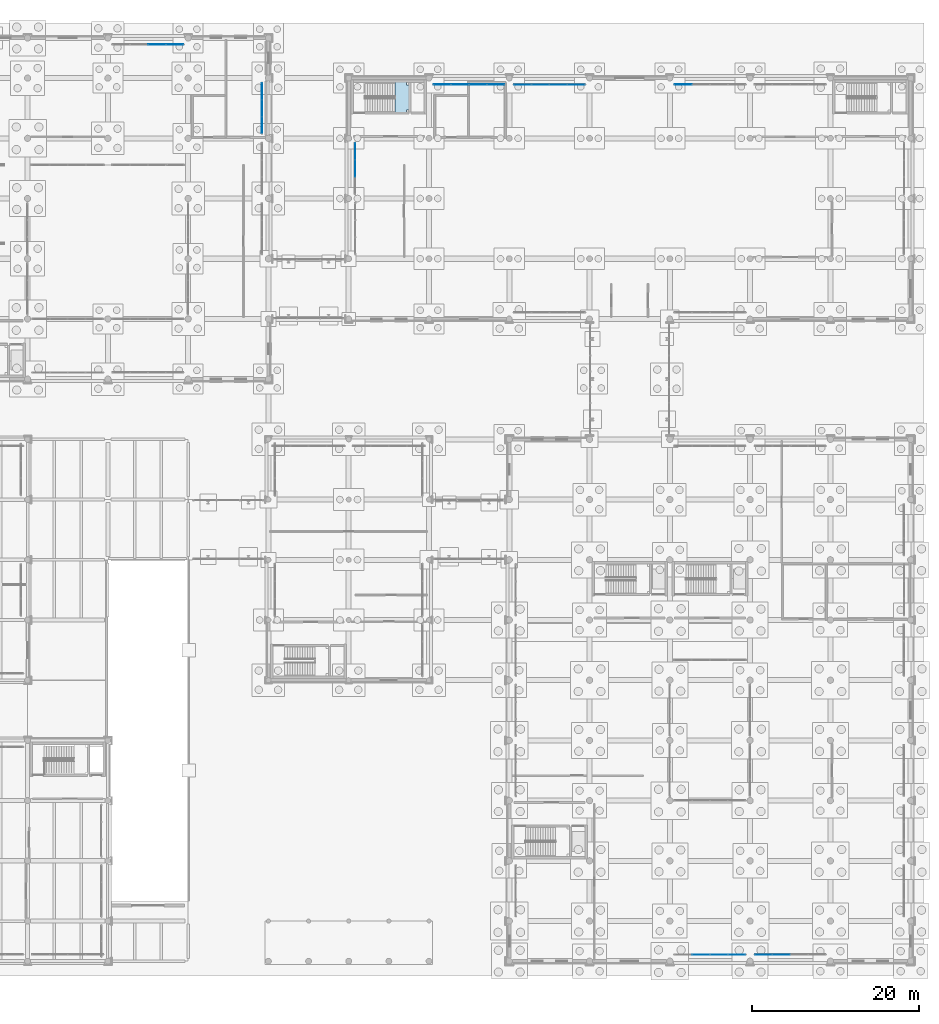
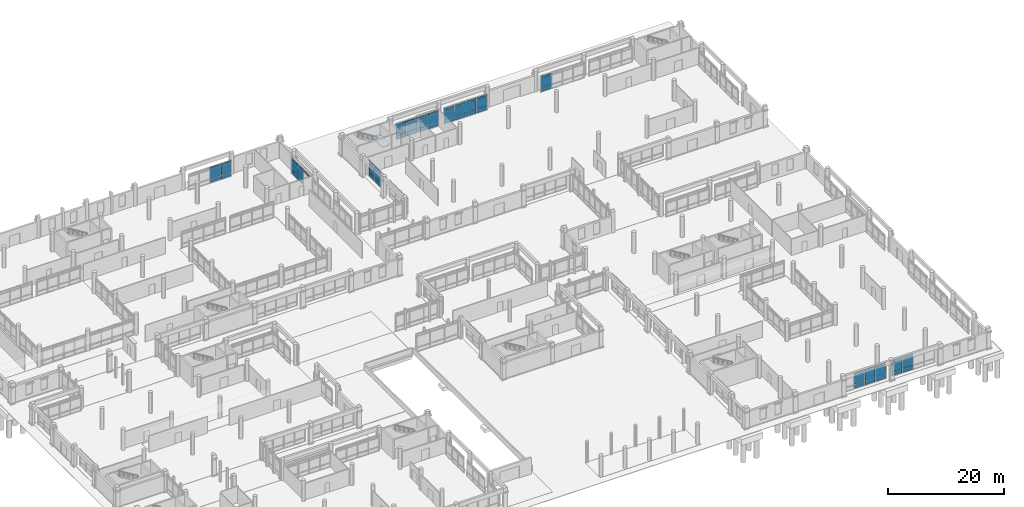
# One storey, part 154 of 196: 61 plates, 1 slab, 9 elements without a shape of their own.
"""IFC4 building model written with IfcOpenShell, lengths in metres."""

from ifc_helpers import new_model, si_unit, direction, frame, origin, origin_2d, place, context, subcontext, project, spatial, polyline, rectangle, outline, extrude, material, layer, layer_set, type_object, element, aggregate, save


model = new_model("IFC4")

# Units and contexts
model_context = context("Model", 3, precision=1e-05, world=origin(), true_north=direction((0.0, 1.0)))
body_context = subcontext(model_context, "Body", "Model", "MODEL_VIEW")
ifc_project = project(units=[si_unit("LENGTHUNIT", "METRE"), si_unit("AREAUNIT", "SQUARE_METRE"), si_unit("VOLUMEUNIT", "CUBIC_METRE"), si_unit("PLANEANGLEUNIT", "RADIAN"), si_unit("MASSUNIT", "GRAM", prefix="KILO")], contexts=[model_context])

# Site, building, storey
site_placement = place(None, origin())
site = spatial("IfcSite", under=ifc_project, at=site_placement, CompositionType="ELEMENT")
building_placement = place(site_placement, origin())
building = spatial("IfcBuilding", under=site, at=building_placement, Name="Asteropetra Specialist Clinic", CompositionType="ELEMENT")
storey_placement = place(building_placement, origin())
storey = spatial("IfcBuildingStorey", under=building, at=storey_placement, Name="L00", CompositionType="ELEMENT", Elevation=0.0)

# Curtain wall, plates
ifc_material_1 = material(Name="Aluminium and low-E glass", Category="aluminium")
ifc_layer_1 = layer(ifc_material_1, 0.135009765625)
ifc_layer_set_1 = layer_set([ifc_layer_1], Name="Aluminium and low-E glass")
curtain_wall_type_1 = type_object("IfcCurtainWallType", Name="CW-SYS-09", PredefinedType="USERDEFINED", material=ifc_layer_set_1)
curtain_wall_1_placement = place(storey_placement, origin())
curtain_wall_1 = element("IfcCurtainWall", 1, at=curtain_wall_1_placement, inside=storey, type_object=curtain_wall_type_1, Name="Curtain Wall CW-192", ObjectType="STICK GLAZED COLONNADE", PredefinedType="USERDEFINED")
ifc_material_2 = material(Name="Low-E double glazing", Category="glass")
ifc_layer_2 = layer(ifc_material_2, 0.028076171875)
ifc_layer_set_2 = layer_set([ifc_layer_2], Name="Low-E double glazing")
plate_type_1 = type_object("IfcPlateType", Name="CWP-GLZ-28", PredefinedType="CURTAIN_PANEL", material=ifc_layer_set_2)
plate_1_placement = place(storey_placement, frame((128.53369140625, 0.780029296875, 0.074951171875), z_axis=(0.0, 0.0, 1.0), x_axis=(1.0, 0.0, 0.0)))
plate_1 = element("IfcPlate", 2, at=plate_1_placement, type_object=plate_type_1, Name="CW-192 panel 2.1", PredefinedType="CURTAIN_PANEL", context=body_context, shape_type="SweptSolid", body=[
    extrude(rectangle(XDim=2.0576171875, YDim=0.028076171875, at=origin_2d()), origin(), (0.0, 0.0, 1.0), 0.78759765625),
])
plate_2_placement = place(storey_placement, frame((128.53369140625, 0.780029296875, 0.9375), z_axis=(0.0, 0.0, 1.0), x_axis=(1.0, 0.0, 0.0)))
plate_2 = element("IfcPlate", 3, at=plate_2_placement, type_object=plate_type_1, Name="CW-192 panel 2.2", PredefinedType="CURTAIN_PANEL", context=body_context, shape_type="SweptSolid", body=[
    extrude(rectangle(XDim=2.0576171875, YDim=0.028076171875, at=origin_2d()), origin(), (0.0, 0.0, 1.0), 1.925048828125),
])
plate_3_placement = place(storey_placement, frame((128.53369140625, 0.780029296875, 2.9375), z_axis=(0.0, 0.0, 1.0), x_axis=(1.0, 0.0, 0.0)))
plate_3 = element("IfcPlate", 4, at=plate_3_placement, type_object=plate_type_1, Name="CW-192 panel 2.3", PredefinedType="CURTAIN_PANEL", context=body_context, shape_type="SweptSolid", body=[
    extrude(rectangle(XDim=2.0576171875, YDim=0.028076171875, at=origin_2d()), origin(), (0.0, 0.0, 1.0), 0.387451171875),
])
plate_4_placement = place(storey_placement, frame((130.666259765625, 0.780029296875, 0.074951171875), z_axis=(0.0, 0.0, 1.0), x_axis=(1.0, 0.0, 0.0)))
plate_4 = element("IfcPlate", 5, at=plate_4_placement, type_object=plate_type_1, Name="CW-192 panel 3.1", PredefinedType="CURTAIN_PANEL", context=body_context, shape_type="SweptSolid", body=[
    extrude(rectangle(XDim=2.0576171875, YDim=0.028076171875, at=origin_2d()), origin(), (0.0, 0.0, 1.0), 0.78759765625),
])
plate_5_placement = place(storey_placement, frame((130.666259765625, 0.780029296875, 0.9375), z_axis=(0.0, 0.0, 1.0), x_axis=(1.0, 0.0, 0.0)))
plate_5 = element("IfcPlate", 6, at=plate_5_placement, type_object=plate_type_1, Name="CW-192 panel 3.2", PredefinedType="CURTAIN_PANEL", context=body_context, shape_type="SweptSolid", body=[
    extrude(rectangle(XDim=2.0576171875, YDim=0.028076171875, at=origin_2d()), origin(), (0.0, 0.0, 1.0), 1.925048828125),
])
plate_6_placement = place(storey_placement, frame((130.666259765625, 0.780029296875, 2.9375), z_axis=(0.0, 0.0, 1.0), x_axis=(1.0, 0.0, 0.0)))
plate_6 = element("IfcPlate", 7, at=plate_6_placement, type_object=plate_type_1, Name="CW-192 panel 3.3", PredefinedType="CURTAIN_PANEL", context=body_context, shape_type="SweptSolid", body=[
    extrude(rectangle(XDim=2.0576171875, YDim=0.028076171875, at=origin_2d()), origin(), (0.0, 0.0, 1.0), 0.387451171875),
])
plate_7_placement = place(storey_placement, frame((132.780029296875, 0.780029296875, 0.074951171875), z_axis=(0.0, 0.0, 1.0), x_axis=(1.0, 0.0, 0.0)))
plate_7 = element("IfcPlate", 8, at=plate_7_placement, type_object=plate_type_1, Name="CW-192 panel 4.1", PredefinedType="CURTAIN_PANEL", context=body_context, shape_type="SweptSolid", body=[
    extrude(rectangle(XDim=2.02001953125, YDim=0.028076171875, at=origin_2d()), origin(), (0.0, 0.0, 1.0), 0.78759765625),
])
plate_8_placement = place(storey_placement, frame((132.780029296875, 0.780029296875, 0.9375), z_axis=(0.0, 0.0, 1.0), x_axis=(1.0, 0.0, 0.0)))
plate_8 = element("IfcPlate", 9, at=plate_8_placement, type_object=plate_type_1, Name="CW-192 panel 4.2", PredefinedType="CURTAIN_PANEL", context=body_context, shape_type="SweptSolid", body=[
    extrude(rectangle(XDim=2.02001953125, YDim=0.028076171875, at=origin_2d()), origin(), (0.0, 0.0, 1.0), 1.925048828125),
])
plate_9_placement = place(storey_placement, frame((132.780029296875, 0.780029296875, 2.9375), z_axis=(0.0, 0.0, 1.0), x_axis=(1.0, 0.0, 0.0)))
plate_9 = element("IfcPlate", 10, at=plate_9_placement, type_object=plate_type_1, Name="CW-192 panel 4.3", PredefinedType="CURTAIN_PANEL", context=body_context, shape_type="SweptSolid", body=[
    extrude(rectangle(XDim=2.02001953125, YDim=0.028076171875, at=origin_2d()), origin(), (0.0, 0.0, 1.0), 0.387451171875),
])
aggregate(curtain_wall_1, [plate_1, plate_2, plate_3, plate_4, plate_5, plate_6, plate_7, plate_8, plate_9])

ifc_material_3 = material(Name="Aluminium and low-E glass", Category="aluminium")
ifc_layer_3 = layer(ifc_material_3, 0.179931640625)
ifc_layer_set_3 = layer_set([ifc_layer_3], Name="Aluminium and low-E glass")
curtain_wall_type_2 = type_object("IfcCurtainWallType", Name="CW-SYS-10", PredefinedType="USERDEFINED", material=ifc_layer_set_3)
curtain_wall_2_placement = place(storey_placement, origin())
curtain_wall_2 = element("IfcCurtainWall", 11, at=curtain_wall_2_placement, inside=storey, type_object=curtain_wall_type_2, Name="Curtain Wall CW-209", ObjectType="STICK GLAZED COLONNADE", PredefinedType="USERDEFINED")
ifc_material_4 = material(Name="Low-E acoustic double glazing", Category="glass")
ifc_layer_4 = layer(ifc_material_4, 0.031982421875)
ifc_layer_set_4 = layer_set([ifc_layer_4], Name="Low-E acoustic double glazing")
plate_type_2 = type_object("IfcPlateType", Name="CWP-GLZ-32", PredefinedType="CURTAIN_PANEL", material=ifc_layer_set_4)
plate_10_placement = place(storey_placement, frame((113.6025390625, 104.820068359375, 0.06005859375), z_axis=(0.0, 0.0, 1.0), x_axis=(-1.0, 0.0, 0.0)))
plate_10 = element("IfcPlate", 12, at=plate_10_placement, type_object=plate_type_2, Name="CW-209 panel 1.1", PredefinedType="CURTAIN_PANEL", context=body_context, shape_type="SweptSolid", body=[
    extrude(rectangle(XDim=2.054931640625, YDim=0.031982421875, at=origin_2d()), origin(), (0.0, 0.0, 1.0), 0.81005859375),
])
plate_11_placement = place(storey_placement, frame((113.6025390625, 104.820068359375, 0.929931640625), z_axis=(0.0, 0.0, 1.0), x_axis=(-1.0, 0.0, 0.0)))
plate_11 = element("IfcPlate", 13, at=plate_11_placement, type_object=plate_type_2, Name="CW-209 panel 1.2", PredefinedType="CURTAIN_PANEL", context=body_context, shape_type="SweptSolid", body=[
    extrude(rectangle(XDim=2.054931640625, YDim=0.031982421875, at=origin_2d()), origin(), (0.0, 0.0, 1.0), 1.9599609375),
])
plate_12_placement = place(storey_placement, frame((113.6025390625, 104.820068359375, 2.9501953125), z_axis=(0.0, 0.0, 1.0), x_axis=(-1.0, 0.0, 0.0)))
plate_12 = element("IfcPlate", 14, at=plate_12_placement, type_object=plate_type_2, Name="CW-209 panel 1.3", PredefinedType="CURTAIN_PANEL", context=body_context, shape_type="SweptSolid", body=[
    extrude(rectangle(XDim=2.054931640625, YDim=0.031982421875, at=origin_2d()), origin(), (0.0, 0.0, 1.0), 0.409912109375),
])
plate_13_placement = place(storey_placement, frame((111.472412109375, 104.820068359375, 0.06005859375), z_axis=(0.0, 0.0, 1.0), x_axis=(-1.0, 0.0, 0.0)))
plate_13 = element("IfcPlate", 15, at=plate_13_placement, type_object=plate_type_2, Name="CW-209 panel 2.1", PredefinedType="CURTAIN_PANEL", context=body_context, shape_type="SweptSolid", body=[
    extrude(rectangle(XDim=2.0849609375, YDim=0.031982421875, at=origin_2d()), origin(), (0.0, 0.0, 1.0), 0.81005859375),
])
plate_14_placement = place(storey_placement, frame((111.472412109375, 104.820068359375, 0.929931640625), z_axis=(0.0, 0.0, 1.0), x_axis=(-1.0, 0.0, 0.0)))
plate_14 = element("IfcPlate", 16, at=plate_14_placement, type_object=plate_type_2, Name="CW-209 panel 2.2", PredefinedType="CURTAIN_PANEL", context=body_context, shape_type="SweptSolid", body=[
    extrude(rectangle(XDim=2.0849609375, YDim=0.031982421875, at=origin_2d()), origin(), (0.0, 0.0, 1.0), 1.9599609375),
])
plate_15_placement = place(storey_placement, frame((111.472412109375, 104.820068359375, 2.9501953125), z_axis=(0.0, 0.0, 1.0), x_axis=(-1.0, 0.0, 0.0)))
plate_15 = element("IfcPlate", 17, at=plate_15_placement, type_object=plate_type_2, Name="CW-209 panel 2.3", PredefinedType="CURTAIN_PANEL", context=body_context, shape_type="SweptSolid", body=[
    extrude(rectangle(XDim=2.0849609375, YDim=0.031982421875, at=origin_2d()), origin(), (0.0, 0.0, 1.0), 0.409912109375),
])
plate_16_placement = place(storey_placement, frame((109.327392578125, 104.820068359375, 0.06005859375), z_axis=(0.0, 0.0, 1.0), x_axis=(-1.0, 0.0, 0.0)))
plate_16 = element("IfcPlate", 18, at=plate_16_placement, type_object=plate_type_2, Name="CW-209 panel 3.1", PredefinedType="CURTAIN_PANEL", context=body_context, shape_type="SweptSolid", body=[
    extrude(rectangle(XDim=2.0849609375, YDim=0.031982421875, at=origin_2d()), origin(), (0.0, 0.0, 1.0), 0.81005859375),
])
plate_17_placement = place(storey_placement, frame((109.327392578125, 104.820068359375, 0.929931640625), z_axis=(0.0, 0.0, 1.0), x_axis=(-1.0, 0.0, 0.0)))
plate_17 = element("IfcPlate", 19, at=plate_17_placement, type_object=plate_type_2, Name="CW-209 panel 3.2", PredefinedType="CURTAIN_PANEL", context=body_context, shape_type="SweptSolid", body=[
    extrude(rectangle(XDim=2.0849609375, YDim=0.031982421875, at=origin_2d()), origin(), (0.0, 0.0, 1.0), 1.9599609375),
])
plate_18_placement = place(storey_placement, frame((109.327392578125, 104.820068359375, 2.9501953125), z_axis=(0.0, 0.0, 1.0), x_axis=(-1.0, 0.0, 0.0)))
plate_18 = element("IfcPlate", 20, at=plate_18_placement, type_object=plate_type_2, Name="CW-209 panel 3.3", PredefinedType="CURTAIN_PANEL", context=body_context, shape_type="SweptSolid", body=[
    extrude(rectangle(XDim=2.0849609375, YDim=0.031982421875, at=origin_2d()), origin(), (0.0, 0.0, 1.0), 0.409912109375),
])
plate_19_placement = place(storey_placement, frame((107.197509765625, 104.820068359375, 0.06005859375), z_axis=(0.0, 0.0, 1.0), x_axis=(-1.0, 0.0, 0.0)))
plate_19 = element("IfcPlate", 21, at=plate_19_placement, type_object=plate_type_2, Name="CW-209 panel 4.1", PredefinedType="CURTAIN_PANEL", context=body_context, shape_type="SweptSolid", body=[
    extrude(rectangle(XDim=2.054931640625, YDim=0.031982421875, at=origin_2d()), origin(), (0.0, 0.0, 1.0), 0.81005859375),
])
plate_20_placement = place(storey_placement, frame((107.197509765625, 104.820068359375, 0.929931640625), z_axis=(0.0, 0.0, 1.0), x_axis=(-1.0, 0.0, 0.0)))
plate_20 = element("IfcPlate", 22, at=plate_20_placement, type_object=plate_type_2, Name="CW-209 panel 4.2", PredefinedType="CURTAIN_PANEL", context=body_context, shape_type="SweptSolid", body=[
    extrude(rectangle(XDim=2.054931640625, YDim=0.031982421875, at=origin_2d()), origin(), (0.0, 0.0, 1.0), 1.9599609375),
])
plate_21_placement = place(storey_placement, frame((107.197509765625, 104.820068359375, 2.9501953125), z_axis=(0.0, 0.0, 1.0), x_axis=(-1.0, 0.0, 0.0)))
plate_21 = element("IfcPlate", 23, at=plate_21_placement, type_object=plate_type_2, Name="CW-209 panel 4.3", PredefinedType="CURTAIN_PANEL", context=body_context, shape_type="SweptSolid", body=[
    extrude(rectangle(XDim=2.054931640625, YDim=0.031982421875, at=origin_2d()), origin(), (0.0, 0.0, 1.0), 0.409912109375),
])
aggregate(curtain_wall_2, [plate_10, plate_11, plate_12, plate_13, plate_14, plate_15, plate_16, plate_17, plate_18, plate_19, plate_20, plate_21])

curtain_wall_3_placement = place(storey_placement, origin())
curtain_wall_3 = element("IfcCurtainWall", 24, at=curtain_wall_3_placement, inside=storey, type_object=curtain_wall_type_2, Name="Curtain Wall CW-186", ObjectType="STICK GLAZED COLONNADE", PredefinedType="USERDEFINED")
ifc_material_5 = material(Name="Solar-control triple glazing", Category="glass")
ifc_layer_5 = layer(ifc_material_5, 0.035888671875)
ifc_layer_set_5 = layer_set([ifc_layer_5], Name="Solar-control triple glazing")
plate_type_3 = type_object("IfcPlateType", Name="CWP-GLZ-36", PredefinedType="CURTAIN_PANEL", material=ifc_layer_set_5)
plate_22_placement = place(storey_placement, frame((65.580078125, 109.6201171875, 0.074951171875), z_axis=(0.0, 0.0, 1.0), x_axis=(-1.0, 0.0, 0.0)))
plate_22 = element("IfcPlate", 25, at=plate_22_placement, type_object=plate_type_3, Name="CW-186 panel 1.1", PredefinedType="CURTAIN_PANEL", context=body_context, shape_type="SweptSolid", body=[
    extrude(rectangle(XDim=2.02001953125, YDim=0.035888671875, at=origin_2d()), origin(), (0.0, 0.0, 1.0), 0.78759765625),
])
plate_23_placement = place(storey_placement, frame((65.580078125, 109.6201171875, 0.9375), z_axis=(0.0, 0.0, 1.0), x_axis=(-1.0, 0.0, 0.0)))
plate_23 = element("IfcPlate", 26, at=plate_23_placement, type_object=plate_type_3, Name="CW-186 panel 1.2", PredefinedType="CURTAIN_PANEL", context=body_context, shape_type="SweptSolid", body=[
    extrude(rectangle(XDim=2.02001953125, YDim=0.035888671875, at=origin_2d()), origin(), (0.0, 0.0, 1.0), 1.945068359375),
])
plate_24_placement = place(storey_placement, frame((65.580078125, 109.6201171875, 2.95751953125), z_axis=(0.0, 0.0, 1.0), x_axis=(-1.0, 0.0, 0.0)))
plate_24 = element("IfcPlate", 27, at=plate_24_placement, type_object=plate_type_3, Name="CW-186 panel 1.3", PredefinedType="CURTAIN_PANEL", context=body_context, shape_type="SweptSolid", body=[
    extrude(rectangle(XDim=2.02001953125, YDim=0.035888671875, at=origin_2d()), origin(), (0.0, 0.0, 1.0), 0.387451171875),
])
plate_25_placement = place(storey_placement, frame((63.46630859375, 109.6201171875, 0.074951171875), z_axis=(0.0, 0.0, 1.0), x_axis=(-1.0, 0.0, 0.0)))
plate_25 = element("IfcPlate", 28, at=plate_25_placement, type_object=plate_type_3, Name="CW-186 panel 2.1", PredefinedType="CURTAIN_PANEL", context=body_context, shape_type="SweptSolid", body=[
    extrude(rectangle(XDim=2.0576171875, YDim=0.035888671875, at=origin_2d()), origin(), (0.0, 0.0, 1.0), 0.78759765625),
])
plate_26_placement = place(storey_placement, frame((63.46630859375, 109.6201171875, 0.9375), z_axis=(0.0, 0.0, 1.0), x_axis=(-1.0, 0.0, 0.0)))
plate_26 = element("IfcPlate", 29, at=plate_26_placement, type_object=plate_type_3, Name="CW-186 panel 2.2", PredefinedType="CURTAIN_PANEL", context=body_context, shape_type="SweptSolid", body=[
    extrude(rectangle(XDim=2.0576171875, YDim=0.035888671875, at=origin_2d()), origin(), (0.0, 0.0, 1.0), 1.945068359375),
])
plate_27_placement = place(storey_placement, frame((63.46630859375, 109.6201171875, 2.95751953125), z_axis=(0.0, 0.0, 1.0), x_axis=(-1.0, 0.0, 0.0)))
plate_27 = element("IfcPlate", 30, at=plate_27_placement, type_object=plate_type_3, Name="CW-186 panel 2.3", PredefinedType="CURTAIN_PANEL", context=body_context, shape_type="SweptSolid", body=[
    extrude(rectangle(XDim=2.0576171875, YDim=0.035888671875, at=origin_2d()), origin(), (0.0, 0.0, 1.0), 0.387451171875),
])
aggregate(curtain_wall_3, [plate_22, plate_23, plate_24, plate_25, plate_26, plate_27])

ifc_material_6 = material(Name="Aluminium and low-E glass", Category="aluminium")
ifc_layer_6 = layer(ifc_material_6, 0.14990234375)
ifc_layer_set_6 = layer_set([ifc_layer_6], Name="Aluminium and low-E glass")
curtain_wall_type_3 = type_object("IfcCurtainWallType", Name="CW-SYS-11", PredefinedType="USERDEFINED", material=ifc_layer_set_6)
curtain_wall_4_placement = place(storey_placement, origin())
curtain_wall_4 = element("IfcCurtainWall", 31, at=curtain_wall_4_placement, inside=storey, type_object=curtain_wall_type_3, Name="Curtain Wall CW-194", ObjectType="STICK GLAZED COLONNADE", PredefinedType="USERDEFINED")
plate_28_placement = place(storey_placement, frame((136.016357421875, 0.780029296875, 0.06005859375), z_axis=(0.0, 0.0, 1.0), x_axis=(1.0, 0.0, 0.0)))
plate_28 = element("IfcPlate", 32, at=plate_28_placement, type_object=plate_type_3, Name="CW-194 panel 1.1", PredefinedType="CURTAIN_PANEL", context=body_context, shape_type="SweptSolid", body=[
    extrude(rectangle(XDim=2.04248046875, YDim=0.035888671875, at=origin_2d()), origin(), (0.0, 0.0, 1.0), 0.81005859375),
])
plate_29_placement = place(storey_placement, frame((136.016357421875, 0.780029296875, 0.929931640625), z_axis=(0.0, 0.0, 1.0), x_axis=(1.0, 0.0, 0.0)))
plate_29 = element("IfcPlate", 33, at=plate_29_placement, type_object=plate_type_3, Name="CW-194 panel 1.2", PredefinedType="CURTAIN_PANEL", context=body_context, shape_type="SweptSolid", body=[
    extrude(rectangle(XDim=2.04248046875, YDim=0.035888671875, at=origin_2d()), origin(), (0.0, 0.0, 1.0), 1.93994140625),
])
plate_30_placement = place(storey_placement, frame((136.016357421875, 0.780029296875, 2.93017578125), z_axis=(0.0, 0.0, 1.0), x_axis=(1.0, 0.0, 0.0)))
plate_30 = element("IfcPlate", 34, at=plate_30_placement, type_object=plate_type_3, Name="CW-194 panel 1.3", PredefinedType="CURTAIN_PANEL", context=body_context, shape_type="SweptSolid", body=[
    extrude(rectangle(XDim=2.04248046875, YDim=0.035888671875, at=origin_2d()), origin(), (0.0, 0.0, 1.0), 0.409912109375),
])
plate_31_placement = place(storey_placement, frame((138.1337890625, 0.780029296875, 0.06005859375), z_axis=(0.0, 0.0, 1.0), x_axis=(1.0, 0.0, 0.0)))
plate_31 = element("IfcPlate", 35, at=plate_31_placement, type_object=plate_type_3, Name="CW-194 panel 2.1", PredefinedType="CURTAIN_PANEL", context=body_context, shape_type="SweptSolid", body=[
    extrude(rectangle(XDim=2.072509765625, YDim=0.035888671875, at=origin_2d()), origin(), (0.0, 0.0, 1.0), 0.81005859375),
])
plate_32_placement = place(storey_placement, frame((138.1337890625, 0.780029296875, 0.929931640625), z_axis=(0.0, 0.0, 1.0), x_axis=(1.0, 0.0, 0.0)))
plate_32 = element("IfcPlate", 36, at=plate_32_placement, type_object=plate_type_3, Name="CW-194 panel 2.2", PredefinedType="CURTAIN_PANEL", context=body_context, shape_type="SweptSolid", body=[
    extrude(rectangle(XDim=2.072509765625, YDim=0.035888671875, at=origin_2d()), origin(), (0.0, 0.0, 1.0), 1.93994140625),
])
plate_33_placement = place(storey_placement, frame((138.1337890625, 0.780029296875, 2.93017578125), z_axis=(0.0, 0.0, 1.0), x_axis=(1.0, 0.0, 0.0)))
plate_33 = element("IfcPlate", 37, at=plate_33_placement, type_object=plate_type_3, Name="CW-194 panel 2.3", PredefinedType="CURTAIN_PANEL", context=body_context, shape_type="SweptSolid", body=[
    extrude(rectangle(XDim=2.072509765625, YDim=0.035888671875, at=origin_2d()), origin(), (0.0, 0.0, 1.0), 0.409912109375),
])
aggregate(curtain_wall_4, [plate_28, plate_29, plate_30, plate_31, plate_32, plate_33])

ifc_material_7 = material(Name="Aluminium and low-E glass", Category="aluminium")
ifc_layer_7 = layer(ifc_material_7, 0.135009765625)
ifc_layer_set_7 = layer_set([ifc_layer_7], Name="Aluminium and low-E glass")
curtain_wall_type_4 = type_object("IfcCurtainWallType", Name="CW-SYS-12", PredefinedType="USERDEFINED", material=ifc_layer_set_7)
curtain_wall_5_placement = place(storey_placement, origin())
curtain_wall_5 = element("IfcCurtainWall", 38, at=curtain_wall_5_placement, inside=storey, type_object=curtain_wall_type_4, Name="Curtain Wall CW-191", ObjectType="STICK GLAZED COLONNADE", PredefinedType="USERDEFINED")
ifc_material_8 = material(Name="Laminated skylight glazing", Category="glass")
ifc_layer_8 = layer(ifc_material_8, 0.0400390625)
ifc_layer_set_8 = layer_set([ifc_layer_8], Name="Laminated skylight glazing")
plate_type_4 = type_object("IfcPlateType", Name="CWP-GLZ-40", PredefinedType="CURTAIN_PANEL", material=ifc_layer_set_8)
plate_34_placement = place(storey_placement, frame((76.02001953125, 99.9716796875, 2.9501953125), z_axis=(0.0, 0.0, 1.0), x_axis=(0.0, 1.0, 0.0)))
plate_34 = element("IfcPlate", 39, at=plate_34_placement, type_object=plate_type_4, Name="CW-191 panel 1.3", PredefinedType="CURTAIN_PANEL", context=body_context, shape_type="SweptSolid", body=[
    extrude(rectangle(XDim=1.953369140625, YDim=0.0400390625, at=origin_2d()), origin(), (0.0, 0.0, 1.0), 0.409912109375),
])
plate_35_placement = place(storey_placement, frame((76.02001953125, 102.0, 0.06005859375), z_axis=(0.0, 0.0, 1.0), x_axis=(0.0, 1.0, 0.0)))
plate_35 = element("IfcPlate", 40, at=plate_35_placement, type_object=plate_type_4, Name="CW-191 panel 2.1", PredefinedType="CURTAIN_PANEL", context=body_context, shape_type="SweptSolid", body=[
    extrude(rectangle(XDim=1.9833984375, YDim=0.0400390625, at=origin_2d()), origin(), (0.0, 0.0, 1.0), 0.81005859375),
])
plate_36_placement = place(storey_placement, frame((76.02001953125, 102.0, 0.929931640625), z_axis=(0.0, 0.0, 1.0), x_axis=(0.0, 1.0, 0.0)))
plate_36 = element("IfcPlate", 41, at=plate_36_placement, type_object=plate_type_4, Name="CW-191 panel 2.2", PredefinedType="CURTAIN_PANEL", context=body_context, shape_type="SweptSolid", body=[
    extrude(rectangle(XDim=1.9833984375, YDim=0.0400390625, at=origin_2d()), origin(), (0.0, 0.0, 1.0), 1.9599609375),
])
plate_37_placement = place(storey_placement, frame((76.02001953125, 102.0, 2.9501953125), z_axis=(0.0, 0.0, 1.0), x_axis=(0.0, 1.0, 0.0)))
plate_37 = element("IfcPlate", 42, at=plate_37_placement, type_object=plate_type_4, Name="CW-191 panel 2.3", PredefinedType="CURTAIN_PANEL", context=body_context, shape_type="SweptSolid", body=[
    extrude(rectangle(XDim=1.9833984375, YDim=0.0400390625, at=origin_2d()), origin(), (0.0, 0.0, 1.0), 0.409912109375),
])
plate_38_placement = place(storey_placement, frame((76.02001953125, 104.0283203125, 0.06005859375), z_axis=(0.0, 0.0, 1.0), x_axis=(0.0, 1.0, 0.0)))
plate_38 = element("IfcPlate", 43, at=plate_38_placement, type_object=plate_type_4, Name="CW-191 panel 3.1", PredefinedType="CURTAIN_PANEL", context=body_context, shape_type="SweptSolid", body=[
    extrude(rectangle(XDim=1.953369140625, YDim=0.0400390625, at=origin_2d()), origin(), (0.0, 0.0, 1.0), 0.81005859375),
])
plate_39_placement = place(storey_placement, frame((76.02001953125, 104.0283203125, 0.929931640625), z_axis=(0.0, 0.0, 1.0), x_axis=(0.0, 1.0, 0.0)))
plate_39 = element("IfcPlate", 44, at=plate_39_placement, type_object=plate_type_4, Name="CW-191 panel 3.2", PredefinedType="CURTAIN_PANEL", context=body_context, shape_type="SweptSolid", body=[
    extrude(rectangle(XDim=1.953369140625, YDim=0.0400390625, at=origin_2d()), origin(), (0.0, 0.0, 1.0), 1.9599609375),
])
plate_40_placement = place(storey_placement, frame((76.02001953125, 104.0283203125, 2.9501953125), z_axis=(0.0, 0.0, 1.0), x_axis=(0.0, 1.0, 0.0)))
plate_40 = element("IfcPlate", 45, at=plate_40_placement, type_object=plate_type_4, Name="CW-191 panel 3.3", PredefinedType="CURTAIN_PANEL", context=body_context, shape_type="SweptSolid", body=[
    extrude(rectangle(XDim=1.953369140625, YDim=0.0400390625, at=origin_2d()), origin(), (0.0, 0.0, 1.0), 0.409912109375),
])
aggregate(curtain_wall_5, [plate_34, plate_35, plate_36, plate_37, plate_38, plate_39, plate_40])

curtain_wall_6_placement = place(storey_placement, origin())
curtain_wall_6 = element("IfcCurtainWall", 46, at=curtain_wall_6_placement, inside=storey, type_object=curtain_wall_type_1, Name="Curtain Wall CW-207", ObjectType="STICK GLAZED COLONNADE", PredefinedType="USERDEFINED")
plate_41_placement = place(storey_placement, frame((103.998779296875, 104.820068359375, 0.074951171875), z_axis=(0.0, 0.0, 1.0), x_axis=(-1.0, 0.0, 0.0)))
plate_41 = element("IfcPlate", 47, at=plate_41_placement, type_object=plate_type_4, Name="CW-207 panel 1.1", PredefinedType="CURTAIN_PANEL", context=body_context, shape_type="SweptSolid", body=[
    extrude(rectangle(XDim=2.032470703125, YDim=0.0400390625, at=origin_2d()), origin(), (0.0, 0.0, 1.0), 0.78759765625),
])
plate_42_placement = place(storey_placement, frame((103.998779296875, 104.820068359375, 0.9375), z_axis=(0.0, 0.0, 1.0), x_axis=(-1.0, 0.0, 0.0)))
plate_42 = element("IfcPlate", 48, at=plate_42_placement, type_object=plate_type_4, Name="CW-207 panel 1.2", PredefinedType="CURTAIN_PANEL", context=body_context, shape_type="SweptSolid", body=[
    extrude(rectangle(XDim=2.032470703125, YDim=0.0400390625, at=origin_2d()), origin(), (0.0, 0.0, 1.0), 1.945068359375),
])
plate_43_placement = place(storey_placement, frame((103.998779296875, 104.820068359375, 2.95751953125), z_axis=(0.0, 0.0, 1.0), x_axis=(-1.0, 0.0, 0.0)))
plate_43 = element("IfcPlate", 49, at=plate_43_placement, type_object=plate_type_4, Name="CW-207 panel 1.3", PredefinedType="CURTAIN_PANEL", context=body_context, shape_type="SweptSolid", body=[
    extrude(rectangle(XDim=2.032470703125, YDim=0.0400390625, at=origin_2d()), origin(), (0.0, 0.0, 1.0), 0.387451171875),
])
plate_44_placement = place(storey_placement, frame((101.87255859375, 104.820068359375, 0.074951171875), z_axis=(0.0, 0.0, 1.0), x_axis=(-1.0, 0.0, 0.0)))
plate_44 = element("IfcPlate", 50, at=plate_44_placement, type_object=plate_type_4, Name="CW-207 panel 2.1", PredefinedType="CURTAIN_PANEL", context=body_context, shape_type="SweptSolid", body=[
    extrude(rectangle(XDim=2.070068359375, YDim=0.0400390625, at=origin_2d()), origin(), (0.0, 0.0, 1.0), 0.78759765625),
])
plate_45_placement = place(storey_placement, frame((101.87255859375, 104.820068359375, 0.9375), z_axis=(0.0, 0.0, 1.0), x_axis=(-1.0, 0.0, 0.0)))
plate_45 = element("IfcPlate", 51, at=plate_45_placement, type_object=plate_type_4, Name="CW-207 panel 2.2", PredefinedType="CURTAIN_PANEL", context=body_context, shape_type="SweptSolid", body=[
    extrude(rectangle(XDim=2.070068359375, YDim=0.0400390625, at=origin_2d()), origin(), (0.0, 0.0, 1.0), 1.945068359375),
])
plate_46_placement = place(storey_placement, frame((101.87255859375, 104.820068359375, 2.95751953125), z_axis=(0.0, 0.0, 1.0), x_axis=(-1.0, 0.0, 0.0)))
plate_46 = element("IfcPlate", 52, at=plate_46_placement, type_object=plate_type_4, Name="CW-207 panel 2.3", PredefinedType="CURTAIN_PANEL", context=body_context, shape_type="SweptSolid", body=[
    extrude(rectangle(XDim=2.070068359375, YDim=0.0400390625, at=origin_2d()), origin(), (0.0, 0.0, 1.0), 0.387451171875),
])
plate_47_placement = place(storey_placement, frame((99.7275390625, 104.820068359375, 0.074951171875), z_axis=(0.0, 0.0, 1.0), x_axis=(-1.0, 0.0, 0.0)))
plate_47 = element("IfcPlate", 53, at=plate_47_placement, type_object=plate_type_4, Name="CW-207 panel 3.1", PredefinedType="CURTAIN_PANEL", context=body_context, shape_type="SweptSolid", body=[
    extrude(rectangle(XDim=2.070068359375, YDim=0.0400390625, at=origin_2d()), origin(), (0.0, 0.0, 1.0), 0.78759765625),
])
plate_48_placement = place(storey_placement, frame((99.7275390625, 104.820068359375, 0.9375), z_axis=(0.0, 0.0, 1.0), x_axis=(-1.0, 0.0, 0.0)))
plate_48 = element("IfcPlate", 54, at=plate_48_placement, type_object=plate_type_4, Name="CW-207 panel 3.2", PredefinedType="CURTAIN_PANEL", context=body_context, shape_type="SweptSolid", body=[
    extrude(rectangle(XDim=2.070068359375, YDim=0.0400390625, at=origin_2d()), origin(), (0.0, 0.0, 1.0), 1.945068359375),
])
plate_49_placement = place(storey_placement, frame((99.7275390625, 104.820068359375, 2.95751953125), z_axis=(0.0, 0.0, 1.0), x_axis=(-1.0, 0.0, 0.0)))
plate_49 = element("IfcPlate", 55, at=plate_49_placement, type_object=plate_type_4, Name="CW-207 panel 3.3", PredefinedType="CURTAIN_PANEL", context=body_context, shape_type="SweptSolid", body=[
    extrude(rectangle(XDim=2.070068359375, YDim=0.0400390625, at=origin_2d()), origin(), (0.0, 0.0, 1.0), 0.387451171875),
])
plate_50_placement = place(storey_placement, frame((97.601318359375, 104.820068359375, 0.074951171875), z_axis=(0.0, 0.0, 1.0), x_axis=(-1.0, 0.0, 0.0)))
plate_50 = element("IfcPlate", 56, at=plate_50_placement, type_object=plate_type_4, Name="CW-207 panel 4.1", PredefinedType="CURTAIN_PANEL", context=body_context, shape_type="SweptSolid", body=[
    extrude(rectangle(XDim=2.032470703125, YDim=0.0400390625, at=origin_2d()), origin(), (0.0, 0.0, 1.0), 0.78759765625),
])
plate_51_placement = place(storey_placement, frame((97.601318359375, 104.820068359375, 0.9375), z_axis=(0.0, 0.0, 1.0), x_axis=(-1.0, 0.0, 0.0)))
plate_51 = element("IfcPlate", 57, at=plate_51_placement, type_object=plate_type_4, Name="CW-207 panel 4.2", PredefinedType="CURTAIN_PANEL", context=body_context, shape_type="SweptSolid", body=[
    extrude(rectangle(XDim=2.032470703125, YDim=0.0400390625, at=origin_2d()), origin(), (0.0, 0.0, 1.0), 1.945068359375),
])
plate_52_placement = place(storey_placement, frame((97.601318359375, 104.820068359375, 2.95751953125), z_axis=(0.0, 0.0, 1.0), x_axis=(-1.0, 0.0, 0.0)))
plate_52 = element("IfcPlate", 58, at=plate_52_placement, type_object=plate_type_4, Name="CW-207 panel 4.3", PredefinedType="CURTAIN_PANEL", context=body_context, shape_type="SweptSolid", body=[
    extrude(rectangle(XDim=2.032470703125, YDim=0.0400390625, at=origin_2d()), origin(), (0.0, 0.0, 1.0), 0.387451171875),
])
aggregate(curtain_wall_6, [plate_41, plate_42, plate_43, plate_44, plate_45, plate_46, plate_47, plate_48, plate_49, plate_50, plate_51, plate_52])

curtain_wall_7_placement = place(storey_placement, origin())
curtain_wall_7 = element("IfcCurtainWall", 59, at=curtain_wall_7_placement, inside=storey, type_object=curtain_wall_type_1, Name="Curtain Wall CW-211", ObjectType="STICK GLAZED COLONNADE", PredefinedType="USERDEFINED")
plate_53_placement = place(storey_placement, frame((126.398681640625, 104.820068359375, 0.06494140625), z_axis=(0.0, 0.0, 1.0), x_axis=(-1.0, 0.0, 0.0)))
plate_53 = element("IfcPlate", 60, at=plate_53_placement, type_object=plate_type_4, Name="CW-211 panel 4.1", PredefinedType="CURTAIN_PANEL", context=body_context, shape_type="SweptSolid", body=[
    extrude(rectangle(XDim=2.047607421875, YDim=0.0400390625, at=origin_2d()), origin(), (0.0, 0.0, 1.0), 0.802490234375),
])
plate_54_placement = place(storey_placement, frame((126.398681640625, 104.820068359375, 0.932373046875), z_axis=(0.0, 0.0, 1.0), x_axis=(-1.0, 0.0, 0.0)))
plate_54 = element("IfcPlate", 61, at=plate_54_placement, type_object=plate_type_4, Name="CW-211 panel 4.2", PredefinedType="CURTAIN_PANEL", context=body_context, shape_type="SweptSolid", body=[
    extrude(rectangle(XDim=2.047607421875, YDim=0.0400390625, at=origin_2d()), origin(), (0.0, 0.0, 1.0), 1.955078125),
])
plate_55_placement = place(storey_placement, frame((126.398681640625, 104.820068359375, 2.95263671875), z_axis=(0.0, 0.0, 1.0), x_axis=(-1.0, 0.0, 0.0)))
plate_55 = element("IfcPlate", 62, at=plate_55_placement, type_object=plate_type_4, Name="CW-211 panel 4.3", PredefinedType="CURTAIN_PANEL", context=body_context, shape_type="SweptSolid", body=[
    extrude(rectangle(XDim=2.047607421875, YDim=0.0400390625, at=origin_2d()), origin(), (0.0, 0.0, 1.0), 0.402587890625),
])
aggregate(curtain_wall_7, [plate_53, plate_54, plate_55])

ifc_material_9 = material(Name="Aluminium and low-E glass", Category="aluminium")
ifc_layer_9 = layer(ifc_material_9, 0.179931640625)
ifc_layer_set_9 = layer_set([ifc_layer_9], Name="Aluminium and low-E glass")
curtain_wall_type_5 = type_object("IfcCurtainWallType", Name="CW-SYS-01", PredefinedType="USERDEFINED", material=ifc_layer_set_9)
curtain_wall_8_placement = place(storey_placement, origin())
curtain_wall_8 = element("IfcCurtainWall", 63, at=curtain_wall_8_placement, inside=storey, type_object=curtain_wall_type_5, Name="Curtain Wall CW-215", ObjectType="UNITISED CURTAIN WALL", PredefinedType="USERDEFINED")
plate_56_placement = place(storey_placement, frame((87.179931640625, 96.844970703125, 0.06005859375), z_axis=(0.0, 0.0, 1.0), x_axis=(0.0, -1.0, 0.0)))
plate_56 = element("IfcPlate", 64, at=plate_56_placement, type_object=plate_type_4, Name="CW-215 panel 1.1", PredefinedType="CURTAIN_PANEL", context=body_context, shape_type="SweptSolid", body=[
    extrude(rectangle(XDim=1.969970703125, YDim=0.0400390625, at=origin_2d()), origin(), (0.0, 0.0, 1.0), 0.81005859375),
])
plate_57_placement = place(storey_placement, frame((87.179931640625, 96.844970703125, 0.929931640625), z_axis=(0.0, 0.0, 1.0), x_axis=(0.0, -1.0, 0.0)))
plate_57 = element("IfcPlate", 65, at=plate_57_placement, type_object=plate_type_4, Name="CW-215 panel 1.2", PredefinedType="CURTAIN_PANEL", context=body_context, shape_type="SweptSolid", body=[
    extrude(rectangle(XDim=1.969970703125, YDim=0.0400390625, at=origin_2d()), origin(), (0.0, 0.0, 1.0), 1.9599609375),
])
plate_58_placement = place(storey_placement, frame((87.179931640625, 96.844970703125, 2.9501953125), z_axis=(0.0, 0.0, 1.0), x_axis=(0.0, -1.0, 0.0)))
plate_58 = element("IfcPlate", 66, at=plate_58_placement, type_object=plate_type_4, Name="CW-215 panel 1.3", PredefinedType="CURTAIN_PANEL", context=body_context, shape_type="SweptSolid", body=[
    extrude(rectangle(XDim=1.969970703125, YDim=0.0400390625, at=origin_2d()), origin(), (0.0, 0.0, 1.0), 0.409912109375),
])
plate_59_placement = place(storey_placement, frame((87.179931640625, 94.800048828125, 0.06005859375), z_axis=(0.0, 0.0, 1.0), x_axis=(0.0, -1.0, 0.0)))
plate_59 = element("IfcPlate", 67, at=plate_59_placement, type_object=plate_type_4, Name="CW-215 panel 2.1", PredefinedType="CURTAIN_PANEL", context=body_context, shape_type="SweptSolid", body=[
    extrude(rectangle(XDim=2.0, YDim=0.0400390625, at=origin_2d()), origin(), (0.0, 0.0, 1.0), 0.81005859375),
])
plate_60_placement = place(storey_placement, frame((87.179931640625, 94.800048828125, 0.929931640625), z_axis=(0.0, 0.0, 1.0), x_axis=(0.0, -1.0, 0.0)))
plate_60 = element("IfcPlate", 68, at=plate_60_placement, type_object=plate_type_4, Name="CW-215 panel 2.2", PredefinedType="CURTAIN_PANEL", context=body_context, shape_type="SweptSolid", body=[
    extrude(rectangle(XDim=2.0, YDim=0.0400390625, at=origin_2d()), origin(), (0.0, 0.0, 1.0), 1.9599609375),
])
plate_61_placement = place(storey_placement, frame((87.179931640625, 94.800048828125, 2.9501953125), z_axis=(0.0, 0.0, 1.0), x_axis=(0.0, -1.0, 0.0)))
plate_61 = element("IfcPlate", 69, at=plate_61_placement, type_object=plate_type_4, Name="CW-215 panel 2.3", PredefinedType="CURTAIN_PANEL", context=body_context, shape_type="SweptSolid", body=[
    extrude(rectangle(XDim=2.0, YDim=0.0400390625, at=origin_2d()), origin(), (0.0, 0.0, 1.0), 0.409912109375),
])
aggregate(curtain_wall_8, [plate_56, plate_57, plate_58, plate_59, plate_60, plate_61])

# Stair, slab
ifc_material_10 = material(Name="Concrete C35/45", Category="concrete")
stair_type = type_object("IfcStairType", Name="STR-DOG-160", PredefinedType="TWO_STRAIGHT_RUN_STAIR", material=ifc_material_10)
stair_placement = place(storey_placement, origin())
stair = element("IfcStair", 70, at=stair_placement, inside=storey, type_object=stair_type, Name="Type I Stair ST11-L00", PredefinedType="TWO_STRAIGHT_RUN_STAIR")
ifc_material_11 = material(Name="Concrete C35/45", Category="concrete")
ifc_layer_10 = layer(ifc_material_11, 0.199951171875)
ifc_layer_set_10 = layer_set([ifc_layer_10], Name="Concrete C35/45")
slab_type = type_object("IfcSlabType", Name="SLB-LND-200", PredefinedType="LANDING", material=ifc_layer_set_10)
slab_placement = place(storey_placement, frame((0.0, 0.0, 2.010009765625)))
slab = element("IfcSlab", 71, at=slab_placement, type_object=slab_type, Name="ST11-L00 landing 1", PredefinedType="LANDING", context=body_context, shape_type="SweptSolid", body=[
    extrude(outline(polyline([(91.949951171875, 101.469970703125), (93.300048828125, 101.469970703125), (93.300048828125, 101.7900390625), (93.6201171875, 101.7900390625), (93.6201171875, 104.7900390625), (93.300048828125, 104.7900390625), (93.300048828125, 105.110107421875), (91.949951171875, 105.110107421875), (91.949951171875, 101.469970703125)])), origin(), (0.0, 0.0, 1.0), 0.199951171875),
])
aggregate(stair, [slab])

save(model, "model.ifc")
